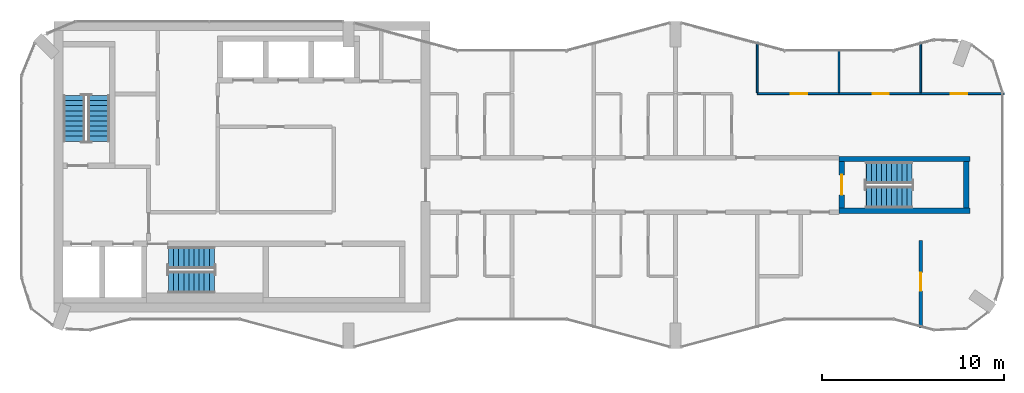
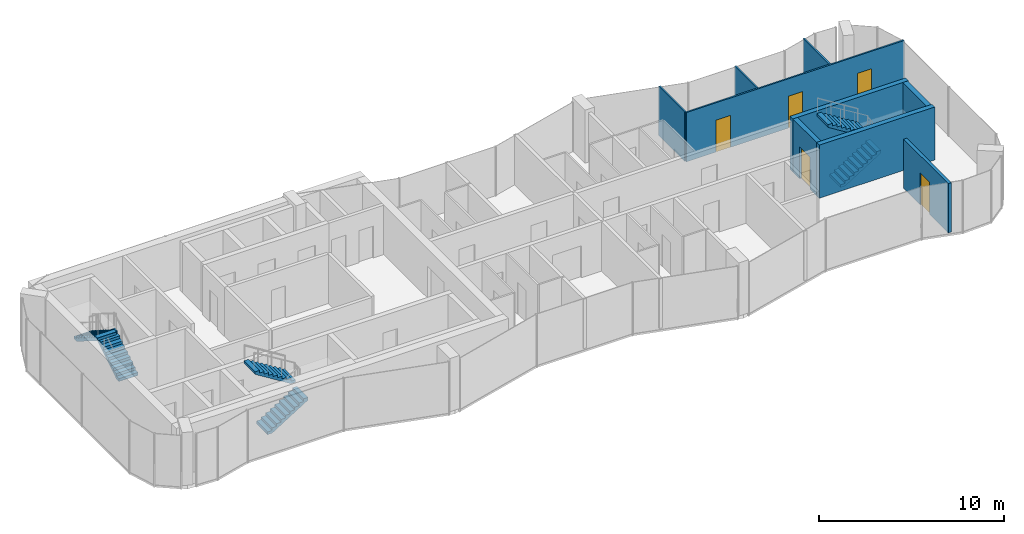
# One storey, part 9 of 10: 9 walls, 6 stair flights, 5 doors, 5 openings, 3 elements without a shape of their own.
"""IFC4 building model written with IfcOpenShell, lengths in metres."""

from ifc_helpers import new_model, si_unit, direction, frame, frame_2d, origin, place, context, subcontext, project, spatial, polyline, rectangle, outline, extrude, material, layer, layer_set, type_object, element, fill, aggregate, save


model = new_model("IFC4")

# Units and contexts
model_context = context("Model", 3, precision=1e-05, world=origin(), true_north=direction((0.0, 1.0)))
body_context = subcontext(model_context, "Body", "Model", "MODEL_VIEW")
ifc_project = project(units=[si_unit("LENGTHUNIT", "METRE"), si_unit("AREAUNIT", "SQUARE_METRE"), si_unit("VOLUMEUNIT", "CUBIC_METRE"), si_unit("PLANEANGLEUNIT", "RADIAN"), si_unit("MASSUNIT", "GRAM", prefix="KILO")], contexts=[model_context])

# Site, building, storey
site_placement = place(None, origin())
site = spatial("IfcSite", under=ifc_project, at=site_placement, CompositionType="ELEMENT")
building_placement = place(site_placement, origin())
building = spatial("IfcBuilding", under=site, at=building_placement, Name="Plateau Cross Towers", CompositionType="ELEMENT")
storey_placement = place(building_placement, frame((0.0, 0.0, 252.89990234375)))
storey = spatial("IfcBuildingStorey", under=building, at=storey_placement, Name="L66", CompositionType="ELEMENT", Elevation=252.89990234375)

# Wall, openings, doors
ifc_material_1 = material(Name="Gypsum board on steel studs", Category="steel")
ifc_layer_1 = layer(ifc_material_1, 0.10009765625)
ifc_layer_set_1 = layer_set([ifc_layer_1], Name="Gypsum board on steel studs")
wall_type_1 = type_object("IfcWallType", Name="Flat partition 100", PredefinedType="PARTITIONING", material=ifc_layer_set_1)
wall_1_placement = place(storey_placement, frame((40.5, 14.02490234375, 0.0), z_axis=(0.0, 0.0, 1.0), x_axis=(1.0, 0.0, 0.0)))
wall_1 = element("IfcWall", 1, at=wall_1_placement, inside=storey, type_object=wall_type_1, Name="Partition wall", PredefinedType="PARTITIONING", context=body_context, shape_type="SweptSolid", body=[
    extrude(rectangle(XDim=13.580078125, YDim=0.10009765625, at=frame_2d((6.7900390625, 0.0))), origin(), (0.0, 0.0, 1.0), 3.25),
])
opening_1_placement = place(wall_1_placement, frame((1.85009765625, 0.0, 0.0)))
opening_1 = element("IfcOpeningElement", 2, at=opening_1_placement, cuts=wall_1, Name="Opening 66-23", PredefinedType="OPENING", context=body_context, shape_type="SweptSolid", body=[
    extrude(rectangle(XDim=0.89990234375, YDim=2.10009765625, at=frame_2d((0.449951171875, 1.050048828125))), frame((0.0, 0.06005859375, 0.0), z_axis=(0.0, -1.0, 0.0), x_axis=(1.0, 0.0, 0.0)), (0.0, 0.0, 1.0), 0.1201171875),
])
opening_2_placement = place(wall_1_placement, frame((6.35009765625, 0.0, 0.0)))
opening_2 = element("IfcOpeningElement", 3, at=opening_2_placement, cuts=wall_1, Name="Opening 66-24", PredefinedType="OPENING", context=body_context, shape_type="SweptSolid", body=[
    extrude(rectangle(XDim=0.89990234375, YDim=2.10009765625, at=frame_2d((0.449951171875, 1.050048828125))), frame((0.0, 0.06005859375, 0.0), z_axis=(0.0, -1.0, 0.0), x_axis=(1.0, 0.0, 0.0)), (0.0, 0.0, 1.0), 0.1201171875),
])
opening_3_placement = place(wall_1_placement, frame((10.64990234375, 0.0, 0.0)))
opening_3 = element("IfcOpeningElement", 4, at=opening_3_placement, cuts=wall_1, Name="Opening 66-25", PredefinedType="OPENING", context=body_context, shape_type="SweptSolid", body=[
    extrude(rectangle(XDim=0.89990234375, YDim=2.10009765625, at=frame_2d((0.449951171875, 1.050048828125))), frame((0.0, 0.06005859375, 0.0), z_axis=(0.0, -1.0, 0.0), x_axis=(1.0, 0.0, 0.0)), (0.0, 0.0, 1.0), 0.1201171875),
])
ifc_material_2 = material(Name="Timber leaf", Category="wood")
door_type_1 = type_object("IfcDoorType", Name="Flat room door 900", OperationType="NOTDEFINED", PredefinedType="DOOR", material=ifc_material_2)
door_1_placement = place(opening_1_placement, origin())
door_1 = element("IfcDoor", 5, at=door_1_placement, inside=storey, type_object=door_type_1, Name="Door 66-23", OperationType="SINGLE_SWING_LEFT", OverallHeight=2.10009765625, OverallWidth=0.89990234375, PredefinedType="DOOR", context=body_context, shape_type="SweptSolid", body=[
    extrude(rectangle(XDim=0.89990234375, YDim=2.10009765625, at=frame_2d((0.449951171875, 1.050048828125))), frame((0.0, 0.02490234375, 0.0), z_axis=(0.0, -1.0, 0.0), x_axis=(1.0, 0.0, 0.0)), (0.0, 0.0, 1.0), 0.050048828125),
])
fill(opening_1, door_1)
door_2_placement = place(opening_2_placement, origin())
door_2 = element("IfcDoor", 6, at=door_2_placement, inside=storey, type_object=door_type_1, Name="Door 66-24", OperationType="SINGLE_SWING_RIGHT", OverallHeight=2.10009765625, OverallWidth=0.89990234375, PredefinedType="DOOR", context=body_context, shape_type="SweptSolid", body=[
    extrude(rectangle(XDim=0.89990234375, YDim=2.10009765625, at=frame_2d((0.449951171875, 1.050048828125))), frame((0.0, 0.02490234375, 0.0), z_axis=(0.0, -1.0, 0.0), x_axis=(1.0, 0.0, 0.0)), (0.0, 0.0, 1.0), 0.050048828125),
])
fill(opening_2, door_2)
door_3_placement = place(opening_3_placement, origin())
door_3 = element("IfcDoor", 7, at=door_3_placement, inside=storey, type_object=door_type_1, Name="Door 66-25", OperationType="SINGLE_SWING_RIGHT", OverallHeight=2.10009765625, OverallWidth=0.89990234375, PredefinedType="DOOR", context=body_context, shape_type="SweptSolid", body=[
    extrude(rectangle(XDim=0.89990234375, YDim=2.10009765625, at=frame_2d((0.449951171875, 1.050048828125))), frame((0.0, 0.02490234375, 0.0), z_axis=(0.0, -1.0, 0.0), x_axis=(1.0, 0.0, 0.0)), (0.0, 0.0, 1.0), 0.050048828125),
])
fill(opening_3, door_3)

# Walls
wall_2_placement = place(storey_placement, frame((40.5, 16.877685546875, 0.0), z_axis=(0.0, 0.0, 1.0), x_axis=(0.0, -1.0, 0.0)))
element("IfcWall", 8, at=wall_2_placement, inside=storey, type_object=wall_type_1, Name="Partition wall", PredefinedType="PARTITIONING", context=body_context, shape_type="SweptSolid", body=[
    extrude(rectangle(XDim=2.802734375, YDim=0.10009765625, at=frame_2d((1.4013671875, 0.0))), origin(), (0.0, 0.0, 1.0), 3.25),
])
wall_3_placement = place(storey_placement, frame((45.0, 14.074951171875, 0.0), z_axis=(0.0, 0.0, 1.0), x_axis=(0.0, 1.0, 0.0)))
element("IfcWall", 9, at=wall_3_placement, inside=storey, type_object=wall_type_1, Name="Partition wall", PredefinedType="PARTITIONING", context=body_context, shape_type="SweptSolid", body=[
    extrude(rectangle(XDim=2.398193359375, YDim=0.10009765625, at=frame_2d((1.19921875, 0.0))), origin(), (0.0, 0.0, 1.0), 3.25),
])
wall_4_placement = place(storey_placement, frame((49.5, 14.074951171875, 0.0), z_axis=(0.0, 0.0, 1.0), x_axis=(0.0, 1.0, 0.0)))
element("IfcWall", 10, at=wall_4_placement, inside=storey, type_object=wall_type_1, Name="Partition wall", PredefinedType="PARTITIONING", context=body_context, shape_type="SweptSolid", body=[
    extrude(rectangle(XDim=2.802734375, YDim=0.10009765625, at=frame_2d((1.4013671875, 0.0))), origin(), (0.0, 0.0, 1.0), 3.25),
])

# Wall, opening, door
ifc_material_3 = material(Name="Gypsum board on steel studs, two layers each side", Category="steel")
ifc_layer_2 = layer(ifc_material_3, 0.199951171875)
ifc_layer_set_2 = layer_set([ifc_layer_2], Name="Gypsum board on steel studs, two layers each side")
wall_type_2 = type_object("IfcWallType", Name="Flat party wall 200", PredefinedType="PARTITIONING", material=ifc_layer_set_2)
wall_5_placement = place(storey_placement, frame((49.5, 1.122314453125, 0.0), z_axis=(0.0, 0.0, 1.0), x_axis=(0.0, 1.0, 0.0)))
wall_5 = element("IfcWall", 11, at=wall_5_placement, inside=storey, type_object=wall_type_2, Name="Party wall", PredefinedType="PARTITIONING", context=body_context, shape_type="SweptSolid", body=[
    extrude(rectangle(XDim=4.82763671875, YDim=0.199951171875, at=frame_2d((2.413818359375, 0.0))), origin(), (0.0, 0.0, 1.0), 3.25),
])
opening_4_placement = place(wall_5_placement, frame((2.050048828125, 0.0, 0.0)))
opening_4 = element("IfcOpeningElement", 12, at=opening_4_placement, cuts=wall_5, Name="Opening 66-12", PredefinedType="OPENING", context=body_context, shape_type="SweptSolid", body=[
    extrude(rectangle(XDim=1.0, YDim=2.10009765625, at=frame_2d((0.5, 1.050048828125))), frame((0.0, 0.10986328125, 0.0), z_axis=(0.0, -1.0, 0.0), x_axis=(1.0, 0.0, 0.0)), (0.0, 0.0, 1.0), 0.219970703125),
])
ifc_material_4 = material(Name="Timber, fire-resisting leaf", Category="wood")
door_type_2 = type_object("IfcDoorType", Name="Flat entrance door 1000", OperationType="NOTDEFINED", PredefinedType="DOOR", material=ifc_material_4)
door_4_placement = place(opening_4_placement, origin())
door_4 = element("IfcDoor", 13, at=door_4_placement, inside=storey, type_object=door_type_2, Name="Door 66-12", OperationType="SINGLE_SWING_RIGHT", OverallHeight=2.10009765625, OverallWidth=1.0, PredefinedType="DOOR", context=body_context, shape_type="SweptSolid", body=[
    extrude(rectangle(XDim=1.0, YDim=2.10009765625, at=frame_2d((0.5, 1.050048828125))), frame((0.0, 0.02490234375, 0.0), z_axis=(0.0, -1.0, 0.0), x_axis=(1.0, 0.0, 0.0)), (0.0, 0.0, 1.0), 0.050048828125),
])
fill(opening_4, door_4)

ifc_material_5 = material(Name="Concrete C60/75", Category="concrete")
ifc_layer_3 = layer(ifc_material_5, 0.300048828125)
ifc_layer_set_3 = layer_set([ifc_layer_3], Name="Concrete C60/75")
wall_type_3 = type_object("IfcWallType", Name="Stair tower wall 300", PredefinedType="SHEAR", material=ifc_layer_set_3)
wall_6_placement = place(storey_placement, frame((45.14990234375, 7.72509765625, 0.0), z_axis=(0.0, 0.0, 1.0), x_axis=(0.0, 1.0, 0.0)))
wall_6 = element("IfcWall", 14, at=wall_6_placement, inside=storey, type_object=wall_type_3, Name="A-end-E-W@L66", PredefinedType="SHEAR", context=body_context, shape_type="SweptSolid", body=[
    extrude(rectangle(XDim=2.5498046875, YDim=0.300048828125, at=frame_2d((1.27490234375, 0.0))), origin(), (0.0, 0.0, 1.0), 3.5),
])
opening_5_placement = place(wall_6_placement, frame((0.72509765625, 0.0, 0.0)))
opening_5 = element("IfcOpeningElement", 15, at=opening_5_placement, cuts=wall_6, Name="Opening SD", PredefinedType="OPENING", context=body_context, shape_type="SweptSolid", body=[
    extrude(rectangle(XDim=1.10009765625, YDim=2.10009765625, at=frame_2d((0.550048828125, 1.050048828125))), frame((0.0, 0.159912109375, 0.0), z_axis=(0.0, -1.0, 0.0), x_axis=(1.0, 0.0, 0.0)), (0.0, 0.0, 1.0), 0.320068359375),
])
ifc_material_6 = material(Name="Steel, fire-resisting leaf", Category="steel")
door_type_3 = type_object("IfcDoorType", Name="Stair door 1100", OperationType="NOTDEFINED", PredefinedType="DOOR", material=ifc_material_6)
door_5_placement = place(opening_5_placement, origin())
door_5 = element("IfcDoor", 16, at=door_5_placement, inside=storey, type_object=door_type_3, Name="Stair door SD", OperationType="SINGLE_SWING_LEFT", OverallHeight=2.10009765625, OverallWidth=1.10009765625, PredefinedType="DOOR", context=body_context, shape_type="SweptSolid", body=[
    extrude(rectangle(XDim=1.10009765625, YDim=2.10009765625, at=frame_2d((0.550048828125, 1.050048828125))), frame((0.0, 0.02490234375, 0.0), z_axis=(0.0, -1.0, 0.0), x_axis=(1.0, 0.0, 0.0)), (0.0, 0.0, 1.0), 0.050048828125),
])
fill(opening_5, door_5)

# Walls
wall_7_placement = place(storey_placement, frame((52.0, 7.72509765625, 0.0), z_axis=(0.0, 0.0, 1.0), x_axis=(0.0, 1.0, 0.0)))
element("IfcWall", 17, at=wall_7_placement, inside=storey, type_object=wall_type_3, Name="A-end-E-E@L66", PredefinedType="SHEAR", context=body_context, shape_type="SweptSolid", body=[
    extrude(rectangle(XDim=2.5498046875, YDim=0.300048828125, at=frame_2d((1.27490234375, 0.0))), origin(), (0.0, 0.0, 1.0), 3.5),
])
for number, where, z_axis, x_axis, name in (
    (18, (45.0, 7.574951171875, 0.0), (0.0, 0.0, 1.0), (1.0, 0.0, 0.0), "A-end-E-S@L66"),
    (19, (45.0, 10.425048828125, 0.0), (0.0, 0.0, 1.0), (1.0, 0.0, 0.0), "A-end-E-N@L66"),
):
    element("IfcWall", number, at=place(storey_placement, frame(where, z_axis=z_axis, x_axis=x_axis)), inside=storey, type_object=wall_type_3, Name=name, PredefinedType="SHEAR", context=body_context, shape_type="SweptSolid", body=[
        extrude(rectangle(XDim=7.199951171875, YDim=0.300048828125, at=frame_2d((3.60009765625, 0.0))), origin(), (0.0, 0.0, 1.0), 3.5),
    ])

# Stair, stair flights
ifc_material_7 = material(Name="Concrete C40/50", Category="concrete")
stair_type = type_object("IfcStairType", Name="ST-TWR", PredefinedType="HALF_TURN_STAIR", material=ifc_material_7)
stair_1_placement = place(storey_placement, origin())
stair_1 = element("IfcStair", 20, at=stair_1_placement, inside=storey, type_object=stair_type, Name="L66 Protected Exit Stair ST-1", PredefinedType="HALF_TURN_STAIR")
stair_flight_type = type_object("IfcStairFlightType", Name="SFL-RC", PredefinedType="STRAIGHT", material=ifc_material_7)
stair_flight_1_placement = place(storey_placement, frame((4.25, 11.39990234375, 0.0), z_axis=(0.0, 0.0, 1.0), x_axis=(0.0, 1.0, 0.0)))
stair_flight_1 = element("IfcStairFlight", 21, at=stair_flight_1_placement, type_object=stair_flight_type, Name="ST-1 flight 1", NumberOfRisers=10, NumberOfTreads=9, PredefinedType="STRAIGHT", RiserHeight=0.175, TreadLength=0.28, context=body_context, shape_type="SweptSolid", body=[
    extrude(outline(polyline([(-0.0048828125, -0.010009765625), (-0.0048828125, 0.0), (0.0, 0.0), (0.0, 0.175048828125), (0.280029296875, 0.175048828125), (0.280029296875, 0.35009765625), (0.56005859375, 0.35009765625), (0.56005859375, 0.52490234375), (0.840087890625, 0.52490234375), (0.840087890625, 0.699951171875), (1.1201171875, 0.699951171875), (1.1201171875, 0.875), (1.39990234375, 0.875), (1.39990234375, 1.050048828125), (1.679931640625, 1.050048828125), (1.679931640625, 1.22509765625), (1.9599609375, 1.22509765625), (1.9599609375, 1.39990234375), (2.239990234375, 1.39990234375), (2.239990234375, 1.574951171875), (2.52001953125, 1.574951171875), (2.52490234375, 1.56494140625), (2.52490234375, 1.398193359375), (2.52001953125, 1.398193359375), (0.28271484375, 0.0), (0.02001953125, 0.0), (0.02001953125, -0.010009765625), (-0.0048828125, -0.010009765625)])), frame((0.0, 0.60009765625, 0.0), z_axis=(0.0, -1.0, 0.0), x_axis=(1.0, 0.0, 0.0)), (0.0, 0.0, 1.0), 1.199951171875),
])
stair_flight_2_placement = place(storey_placement, frame((2.89990234375, 13.919921875, 1.75), z_axis=(0.0, 0.0, 1.0), x_axis=(0.0, -1.0, 0.0)))
stair_flight_2 = element("IfcStairFlight", 22, at=stair_flight_2_placement, type_object=stair_flight_type, Name="ST-1 flight 2", NumberOfRisers=10, NumberOfTreads=9, PredefinedType="STRAIGHT", RiserHeight=0.175, TreadLength=0.28, context=body_context, shape_type="SweptSolid", body=[
    extrude(outline(polyline([(-0.0048828125, -0.010009765625), (-0.0048828125, 0.0), (0.0, 0.0), (0.0, 0.175048828125), (0.280029296875, 0.175048828125), (0.280029296875, 0.35009765625), (0.56005859375, 0.35009765625), (0.56005859375, 0.52490234375), (0.840087890625, 0.52490234375), (0.840087890625, 0.699951171875), (1.1201171875, 0.699951171875), (1.1201171875, 0.875), (1.39990234375, 0.875), (1.39990234375, 1.050048828125), (1.679931640625, 1.050048828125), (1.679931640625, 1.22509765625), (1.9599609375, 1.22509765625), (1.9599609375, 1.39990234375), (2.239990234375, 1.39990234375), (2.239990234375, 1.574951171875), (2.52001953125, 1.574951171875), (2.52490234375, 1.56494140625), (2.52490234375, 1.398193359375), (2.52001953125, 1.398193359375), (0.28271484375, 0.0), (0.02001953125, 0.0), (0.02001953125, -0.010009765625), (-0.0048828125, -0.010009765625)])), frame((0.0, 0.60009765625, 0.0), z_axis=(0.0, -1.0, 0.0), x_axis=(1.0, 0.0, 0.0)), (0.0, 0.0, 1.0), 1.199951171875),
])
aggregate(stair_1, [stair_flight_1, stair_flight_2])

stair_2_placement = place(storey_placement, origin())
stair_2 = element("IfcStair", 23, at=stair_2_placement, inside=storey, type_object=stair_type, Name="L66 Protected Exit Stair ST-2", PredefinedType="HALF_TURN_STAIR")
stair_flight_3_placement = place(storey_placement, frame((8.10009765625, 3.64990234375, 0.0), z_axis=(0.0, 0.0, 1.0), x_axis=(1.0, 0.0, 0.0)))
stair_flight_3 = element("IfcStairFlight", 24, at=stair_flight_3_placement, type_object=stair_flight_type, Name="ST-2 flight 1", NumberOfRisers=10, NumberOfTreads=9, PredefinedType="STRAIGHT", RiserHeight=0.175, TreadLength=0.28, context=body_context, shape_type="SweptSolid", body=[
    extrude(outline(polyline([(-0.0048828125, -0.010009765625), (-0.0048828125, 0.0), (0.0, 0.0), (0.0, 0.175048828125), (0.280029296875, 0.175048828125), (0.280029296875, 0.35009765625), (0.56005859375, 0.35009765625), (0.56005859375, 0.52490234375), (0.840087890625, 0.52490234375), (0.840087890625, 0.699951171875), (1.1201171875, 0.699951171875), (1.1201171875, 0.875), (1.39990234375, 0.875), (1.39990234375, 1.050048828125), (1.679931640625, 1.050048828125), (1.679931640625, 1.22509765625), (1.9599609375, 1.22509765625), (1.9599609375, 1.39990234375), (2.239990234375, 1.39990234375), (2.239990234375, 1.574951171875), (2.52001953125, 1.574951171875), (2.52490234375, 1.56494140625), (2.52490234375, 1.398193359375), (2.52001953125, 1.398193359375), (0.28271484375, 0.0), (0.02001953125, 0.0), (0.02001953125, -0.010009765625), (-0.0048828125, -0.010009765625)])), frame((0.0, 0.60009765625, 0.0), z_axis=(0.0, -1.0, 0.0), x_axis=(1.0, 0.0, 0.0)), (0.0, 0.0, 1.0), 1.199951171875),
])
stair_flight_4_placement = place(storey_placement, frame((10.6201171875, 5.0, 1.75), z_axis=(0.0, 0.0, 1.0), x_axis=(-1.0, 0.0, 0.0)))
stair_flight_4 = element("IfcStairFlight", 25, at=stair_flight_4_placement, type_object=stair_flight_type, Name="ST-2 flight 2", NumberOfRisers=10, NumberOfTreads=9, PredefinedType="STRAIGHT", RiserHeight=0.175, TreadLength=0.28, context=body_context, shape_type="SweptSolid", body=[
    extrude(outline(polyline([(-0.0048828125, -0.010009765625), (-0.0048828125, 0.0), (0.0, 0.0), (0.0, 0.175048828125), (0.280029296875, 0.175048828125), (0.280029296875, 0.35009765625), (0.56005859375, 0.35009765625), (0.56005859375, 0.52490234375), (0.840087890625, 0.52490234375), (0.840087890625, 0.699951171875), (1.1201171875, 0.699951171875), (1.1201171875, 0.875), (1.39990234375, 0.875), (1.39990234375, 1.050048828125), (1.679931640625, 1.050048828125), (1.679931640625, 1.22509765625), (1.9599609375, 1.22509765625), (1.9599609375, 1.39990234375), (2.239990234375, 1.39990234375), (2.239990234375, 1.574951171875), (2.52001953125, 1.574951171875), (2.52490234375, 1.56494140625), (2.52490234375, 1.398193359375), (2.52001953125, 1.398193359375), (0.28271484375, 0.0), (0.02001953125, 0.0), (0.02001953125, -0.010009765625), (-0.0048828125, -0.010009765625)])), frame((0.0, 0.60009765625, 0.0), z_axis=(0.0, -1.0, 0.0), x_axis=(1.0, 0.0, 0.0)), (0.0, 0.0, 1.0), 1.199951171875),
])
aggregate(stair_2, [stair_flight_3, stair_flight_4])

stair_3_placement = place(storey_placement, origin())
stair_3 = element("IfcStair", 26, at=stair_3_placement, inside=storey, type_object=stair_type, Name="L66 Protected Exit Stair E", PredefinedType="HALF_TURN_STAIR")
stair_flight_5_placement = place(storey_placement, frame((46.5, 8.324951171875, 0.0), z_axis=(0.0, 0.0, 1.0), x_axis=(1.0, 0.0, 0.0)))
stair_flight_5 = element("IfcStairFlight", 27, at=stair_flight_5_placement, type_object=stair_flight_type, Name="ES-E flight 1", NumberOfRisers=10, NumberOfTreads=9, PredefinedType="STRAIGHT", RiserHeight=0.175, TreadLength=0.28, context=body_context, shape_type="SweptSolid", body=[
    extrude(outline(polyline([(-0.0048828125, -0.010009765625), (-0.0048828125, 0.0), (0.0, 0.0), (0.0, 0.175048828125), (0.280029296875, 0.175048828125), (0.280029296875, 0.35009765625), (0.56005859375, 0.35009765625), (0.56005859375, 0.52490234375), (0.840087890625, 0.52490234375), (0.840087890625, 0.699951171875), (1.1201171875, 0.699951171875), (1.1201171875, 0.875), (1.39990234375, 0.875), (1.39990234375, 1.050048828125), (1.679931640625, 1.050048828125), (1.679931640625, 1.22509765625), (1.9599609375, 1.22509765625), (1.9599609375, 1.39990234375), (2.239990234375, 1.39990234375), (2.239990234375, 1.574951171875), (2.52001953125, 1.574951171875), (2.52490234375, 1.56494140625), (2.52490234375, 1.398193359375), (2.52001953125, 1.398193359375), (0.28271484375, 0.0), (0.02001953125, 0.0), (0.02001953125, -0.010009765625), (-0.0048828125, -0.010009765625)])), frame((0.0, 0.60009765625, 0.0), z_axis=(0.0, -1.0, 0.0), x_axis=(1.0, 0.0, 0.0)), (0.0, 0.0, 1.0), 1.199951171875),
])
stair_flight_6_placement = place(storey_placement, frame((49.02001953125, 9.675048828125, 1.75), z_axis=(0.0, 0.0, 1.0), x_axis=(-1.0, 0.0, 0.0)))
stair_flight_6 = element("IfcStairFlight", 28, at=stair_flight_6_placement, type_object=stair_flight_type, Name="ES-E flight 2", NumberOfRisers=10, NumberOfTreads=9, PredefinedType="STRAIGHT", RiserHeight=0.175, TreadLength=0.28, context=body_context, shape_type="SweptSolid", body=[
    extrude(outline(polyline([(-0.0048828125, -0.010009765625), (-0.0048828125, 0.0), (0.0, 0.0), (0.0, 0.175048828125), (0.280029296875, 0.175048828125), (0.280029296875, 0.35009765625), (0.56005859375, 0.35009765625), (0.56005859375, 0.52490234375), (0.840087890625, 0.52490234375), (0.840087890625, 0.699951171875), (1.1201171875, 0.699951171875), (1.1201171875, 0.875), (1.39990234375, 0.875), (1.39990234375, 1.050048828125), (1.679931640625, 1.050048828125), (1.679931640625, 1.22509765625), (1.9599609375, 1.22509765625), (1.9599609375, 1.39990234375), (2.239990234375, 1.39990234375), (2.239990234375, 1.574951171875), (2.52001953125, 1.574951171875), (2.52490234375, 1.56494140625), (2.52490234375, 1.398193359375), (2.52001953125, 1.398193359375), (0.28271484375, 0.0), (0.02001953125, 0.0), (0.02001953125, -0.010009765625), (-0.0048828125, -0.010009765625)])), frame((0.0, 0.60009765625, 0.0), z_axis=(0.0, -1.0, 0.0), x_axis=(1.0, 0.0, 0.0)), (0.0, 0.0, 1.0), 1.199951171875),
])
aggregate(stair_3, [stair_flight_5, stair_flight_6])

save(model, "model.ifc")
